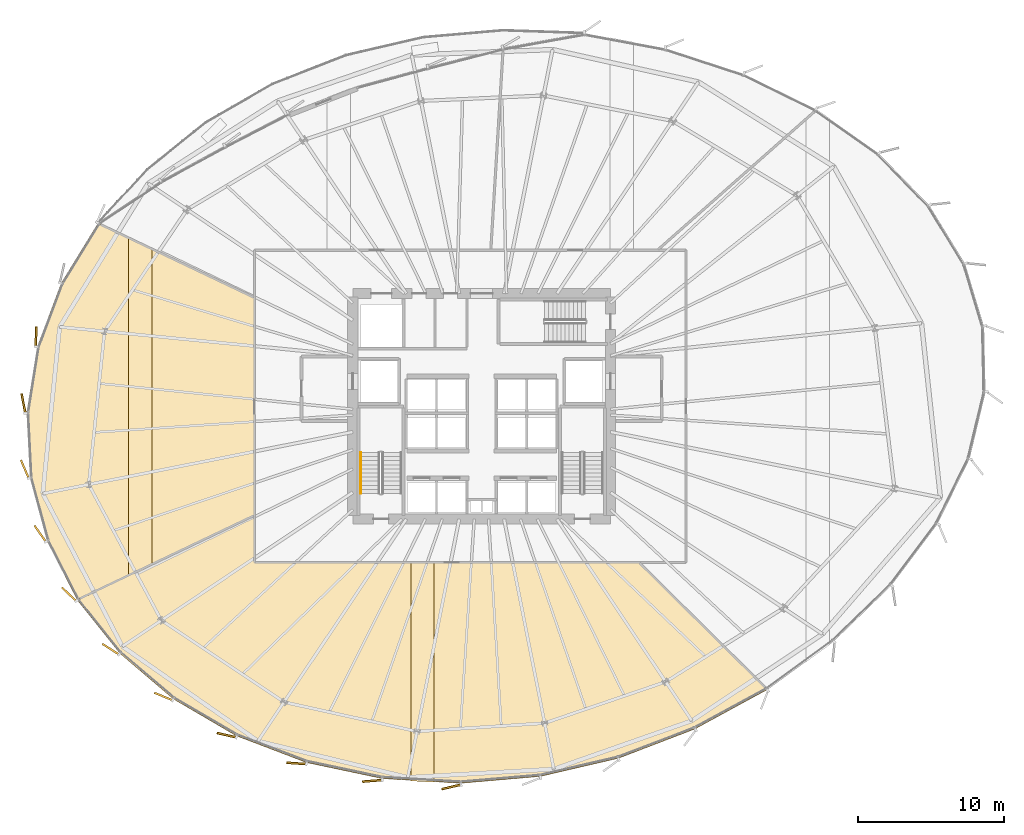
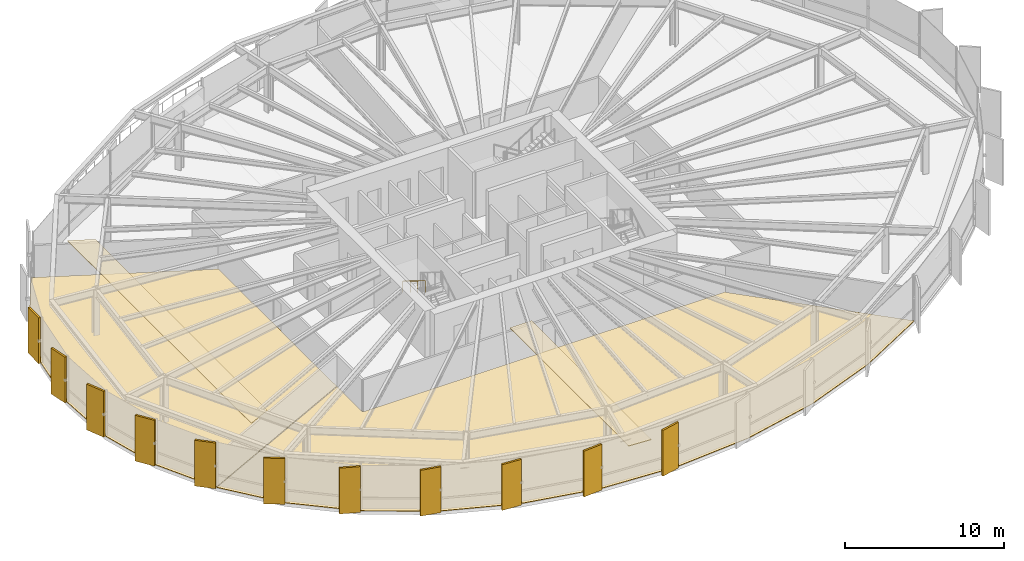
# One storey, part 35 of 38: 15 coverings, 1 railing.
"""IFC4 building model written with IfcOpenShell, lengths in metres."""

from ifc_helpers import new_model, si_unit, direction, frame, origin, origin_2d, place, context, subcontext, project, spatial, polyline, rectangle, circle, outline, extrude, source, transform, mapped, material, layer, layer_set, type_object, element, save


model = new_model("IFC4")

# Units and contexts
model_context = context("Model", 3, precision=1e-05, world=origin(), true_north=direction((0.0, 1.0)))
body_context = subcontext(model_context, "Body", "Model", "MODEL_VIEW")
ifc_project = project(units=[si_unit("LENGTHUNIT", "METRE"), si_unit("AREAUNIT", "SQUARE_METRE"), si_unit("VOLUMEUNIT", "CUBIC_METRE"), si_unit("PLANEANGLEUNIT", "RADIAN"), si_unit("MASSUNIT", "GRAM", prefix="KILO"), si_unit("THERMODYNAMICTEMPERATUREUNIT", "KELVIN")], contexts=[model_context])

# Site, building, storey
site_placement = place(None, origin())
site = spatial("IfcSite", under=ifc_project, at=site_placement, CompositionType="ELEMENT")
building_placement = place(site_placement, origin())
building = spatial("IfcBuilding", under=site, at=building_placement, Name="Kethvar Cultural Tower", CompositionType="ELEMENT")
storey_placement = place(building_placement, frame((0.0, 0.0, 67.60009765625)))
storey = spatial("IfcBuildingStorey", under=building, at=storey_placement, Name="L16", CompositionType="ELEMENT", Elevation=67.60009765625)

# Coverings
ifc_material_1 = material(Name="Acoustic Mineral Fibre Ceiling")
ifc_layer_1 = layer(ifc_material_1, 0.0400390625, Name="Acoustic Mineral Fibre Ceiling")
ifc_layer_set_1 = layer_set([ifc_layer_1], Name="Acoustic Mineral Fibre Ceiling (40 mm)")
covering_type_1 = type_object("IfcCoveringType", Name="CV-ACOUSTIC-CEIL", PredefinedType="CEILING", material=ifc_layer_set_1)
covering_1_placement = place(storey_placement, frame((0.0, 0.0, 2.669921875)))
element("IfcCovering", 1, at=covering_1_placement, inside=storey, type_object=covering_type_1, Name="L16 Room 01 Acoustic Ceiling Panel", PredefinedType="CEILING", context=body_context, shape_type="SweptSolid", body=[
    extrude(outline(polyline([(41.970458984375, 2.220947265625), (41.970458984375, 17.159912109375), (43.560302734375, 17.159912109375), (43.560302734375, 2.126708984375), (41.970458984375, 2.220947265625)])), origin(), (0.0, 0.0, 1.0), 0.0400390625),
])
covering_2_placement = place(storey_placement, frame((0.0, 0.0, 2.669921875)))
element("IfcCovering", 2, at=covering_2_placement, inside=storey, type_object=covering_type_1, Name="L16 Room 05 Acoustic Ceiling Panel", PredefinedType="CEILING", context=body_context, shape_type="SweptSolid", body=[
    extrude(outline(polyline([(24.2705078125, 38.5791015625), (24.2705078125, 16.976806640625), (22.6806640625, 16.214599609375), (22.6806640625, 39.33837890625), (24.2705078125, 38.5791015625)])), origin(), (0.0, 0.0, 1.0), 0.0400390625),
])
ifc_material_2 = material(Name="Honed Warm Limestone", Category="masonry")
ifc_layer_2 = layer(ifc_material_2, 0.030029296875, Name="Honed Warm Limestone", Category="masonry")
ifc_layer_set_2 = layer_set([ifc_layer_2], Name="Honed Warm Limestone (30 mm)")
covering_type_2 = type_object("IfcCoveringType", Name="CV-STONE-FLOOR", PredefinedType="FLOORING", material=ifc_layer_set_2)
covering_3_placement = place(storey_placement, origin())
element("IfcCovering", 3, at=covering_3_placement, inside=storey, type_object=covering_type_2, Name="L16 Room 01 Floor Finish", PredefinedType="FLOORING", context=body_context, shape_type="SweptSolid", body=[
    extrude(outline(polyline([(61.347412109375, 5.755859375), (56.141845703125, 3.76220703125), (50.803466796875, 2.522705078125), (45.386962890625, 2.058837890625), (40.013427734375, 2.376953125), (34.84619140625, 3.4677734375), (30.04248046875, 5.2978515625), (25.748046875, 7.811767578125), (22.093505859375, 10.932861328125), (19.2041015625, 14.548095703125), (31.27001953125, 20.33251953125), (31.2880859375, 17.1201171875), (57.530517578125, 17.1201171875), (66.277099609375, 8.4375), (61.347412109375, 5.755859375)])), origin(), (0.0, 0.0, 1.0), 0.02978515625),
])
covering_4_placement = place(storey_placement, origin())
element("IfcCovering", 4, at=covering_4_placement, inside=storey, type_object=covering_type_2, Name="L16 Room 05 Floor Finish", PredefinedType="FLOORING", context=body_context, shape_type="SweptSolid", body=[
    extrude(outline(polyline([(17.125, 18.601318359375), (15.96142578125, 22.91552734375), (15.734619140625, 27.37841796875), (16.45166015625, 31.85400390625), (18.090576171875, 36.20703125), (20.59326171875, 40.290771484375), (31.27001953125, 35.19287109375), (31.27001953125, 20.376953125), (19.181884765625, 14.581787109375), (17.125, 18.601318359375)])), origin(), (0.0, 0.0, 1.0), 0.02978515625),
])

# Railing
ifc_material_3 = material(Name="Steel S355J2", Category="steel")
railing_type = type_object("IfcRailingType", Name="RL-STAIR-HANDRAIL", PredefinedType="HANDRAIL", material=ifc_material_3)
railing_placement = place(storey_placement, frame((38.5400390625, 24.64990234375, 2.072509765625)))
element("IfcRailing", 5, at=railing_placement, inside=storey, type_object=railing_type, Name="L16 ST-01 stair handrail 2", PredefinedType="HANDRAIL", context=body_context, shape_type="SweptSolid", body=[
    extrude(circle(Radius=0.02392578125, at=origin_2d()), frame((0.0, 0.0, 0.8759765625), z_axis=(0.0, -0.851069175582, 0.525053576669), x_axis=(1.0, 0.0, 0.0)), (0.0, 0.0, 1.0), 3.289794921875),
    extrude(circle(Radius=0.02099609375, at=origin_2d()), origin(), (0.0, 0.0, 1.0), 0.851806640625),
    extrude(circle(Radius=0.02099609375, at=origin_2d()), frame((0.0, -0.933349609375, 0.57568359375)), (0.0, 0.0, 1.0), 0.851806640625),
    extrude(circle(Radius=0.02099609375, at=origin_2d()), frame((0.0, -1.866455078125, 1.151611328125)), (0.0, 0.0, 1.0), 0.851806640625),
    extrude(circle(Radius=0.02099609375, at=origin_2d()), frame((0.0, -2.7998046875, 1.727294921875)), (0.0, 0.0, 1.0), 0.851806640625),
])

# Coverings
ifc_material_4 = material(Name="Extruded Architectural Terracotta", Category="masonry")
ifc_layer_3 = layer(ifc_material_4, 0.135009765625, Name="Extruded Architectural Terracotta", Category="masonry")
ifc_layer_set_3 = layer_set([ifc_layer_3], Name="Extruded Architectural Terracotta (135 mm)")
covering_type_3 = type_object("IfcCoveringType", Name="Terracotta Facade Fin FIN-01", PredefinedType="CLADDING", material=ifc_layer_set_3)
shared_shape = source(origin(), body_context, "Body", "SweptSolid", [
    extrude(rectangle(XDim=1.35009765625, YDim=0.135009765625, at=origin_2d()), origin(), (0.0, 0.0, 1.0), 3.510009765625),
])
for number, where, z_axis, x_axis, name in (
    (6, (16.3662109375, 32.546875, 0.02001953125), (0.0, 0.0, 1.0), (0.0191974424, 0.999815712122, 0.0), "L16 Vertical Terracotta Fin 3.6"),
    (7, (15.509033203125, 27.99609375, 0.02001953125), (0.0, 0.0, 1.0), (-0.189266824235, 0.98192569436, 0.0), "L16 Vertical Terracotta Fin 4.1"),
    (8, (15.599609375, 23.5126953125, 0.02001953125), (0.0, 0.0, 1.0), (-0.392176571492, 0.919889959056, 0.0), "L16 Vertical Terracotta Fin 4.2"),
    (9, (16.646728515625, 19.10986328125, 0.02001953125), (0.0, 0.0, 1.0), (-0.575005252043, 0.818149717425, 0.0), "L16 Vertical Terracotta Fin 4.3"),
    (10, (18.61962890625, 14.96875, 0.02001953125), (0.0, 0.0, 1.0), (-0.726934329537, 0.686706983029, 0.0), "L16 Vertical Terracotta Fin 4.4"),
    (11, (21.457763671875, 11.220703125, 0.02001953125), (0.0, 0.0, 1.0), (-0.843391445813, 0.537299608347, 0.0), "L16 Vertical Terracotta Fin 4.5"),
    (12, (25.07177734375, 7.98291015625, 0.02001953125), (0.0, 0.0, 1.0), (-0.924944582565, 0.38010198524, 0.0), "L16 Vertical Terracotta Fin 4.6"),
    (13, (29.38671875, 5.340087890625, 0.02001953125), (0.0, 0.0, 1.0), (-0.974916814618, 0.222569549971, 0.0), "L16 Vertical Terracotta Fin 5.1"),
    (14, (34.150634765625, 3.41650390625, 0.02001953125), (0.0, 0.0, 1.0), (-0.997660476238, 0.068363544026, 0.0), "L16 Vertical Terracotta Fin 5.2"),
    (15, (39.333251953125, 2.222900390625, 0.02001953125), (0.0, 0.0, 1.0), (-0.996764865922, -0.08037289384, 0.0), "L16 Vertical Terracotta Fin 5.3"),
    (16, (44.736083984375, 1.808349609375, 0.02001953125), (0.0, 0.0, 1.0), (-0.974761194191, -0.223250116011, 0.0), "L16 Vertical Terracotta Fin 5.4"),
):
    element("IfcCovering", number, at=place(storey_placement, frame(where, z_axis=z_axis, x_axis=x_axis)), inside=storey, type_object=covering_type_3, Name=name, PredefinedType="CLADDING", context=body_context, shape_type="MappedRepresentation", body=[
        mapped(shared_shape, transform((0.0, 0.0, 0.0), scale=1.0)),
    ])

save(model, "model.ifc")
